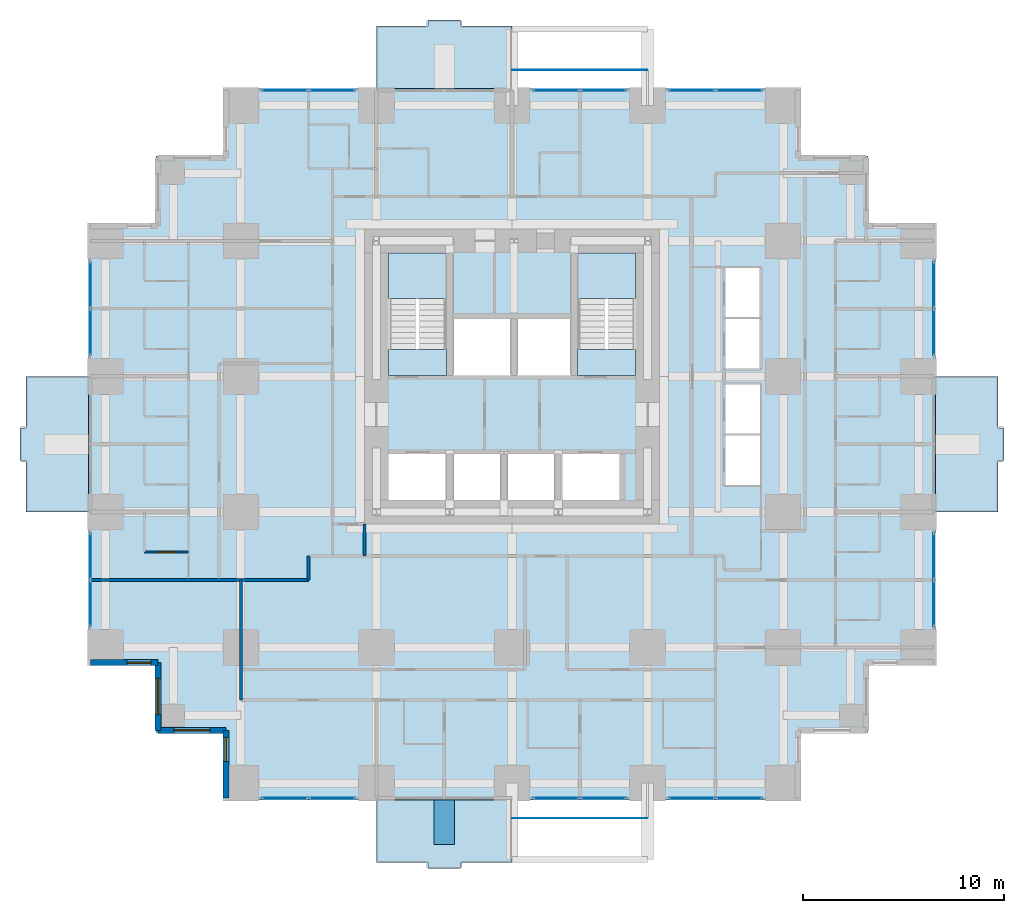
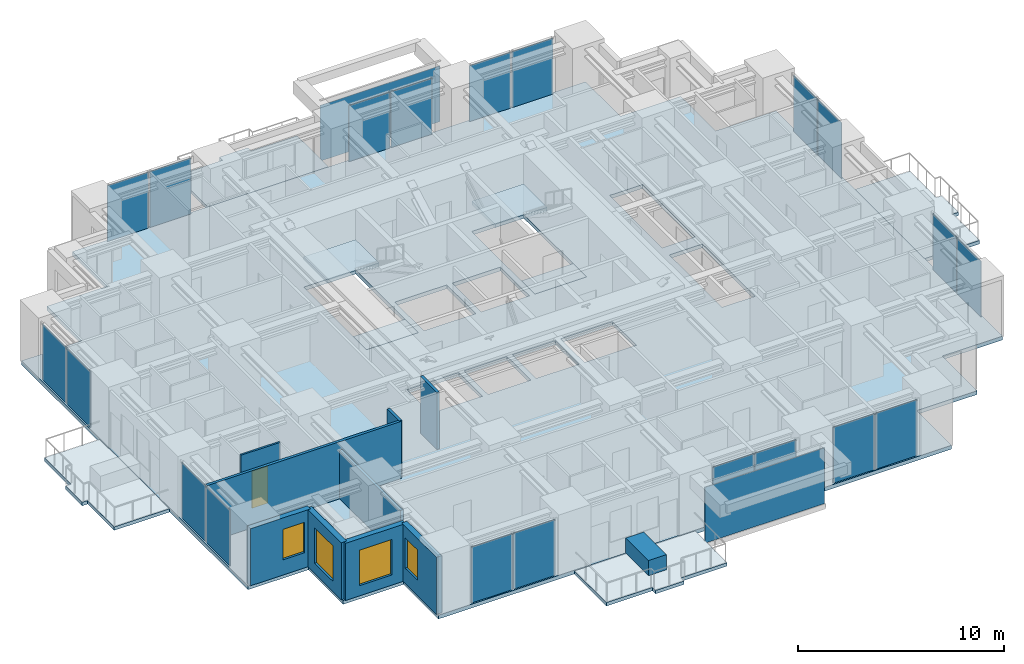
# One storey, part 6 of 13: 22 plates, 10 walls, 9 slabs, 4 windows, 1 door, 5 openings, 12 elements without a shape of their own.
"""IFC4 building model written with IfcOpenShell, lengths in metres."""

from ifc_helpers import new_model, si_unit, direction, frame, frame_2d, origin, origin_2d, place, context, subcontext, project, spatial, polyline, rectangle, outline, extrude, material, layer, layer_set, type_object, element, fill, aggregate, save


model = new_model("IFC4")

# Units and contexts
model_context = context("Model", 3, precision=1e-05, world=origin(), true_north=direction((0.0, 1.0)))
body_context = subcontext(model_context, "Body", "Model", "MODEL_VIEW")
ifc_project = project(units=[si_unit("LENGTHUNIT", "METRE"), si_unit("AREAUNIT", "SQUARE_METRE"), si_unit("VOLUMEUNIT", "CUBIC_METRE"), si_unit("PLANEANGLEUNIT", "RADIAN"), si_unit("MASSUNIT", "GRAM", prefix="KILO")], contexts=[model_context])

# Site, building, storey
site_placement = place(None, origin())
site = spatial("IfcSite", under=ifc_project, at=site_placement, CompositionType="ELEMENT")
building_placement = place(site_placement, origin())
building = spatial("IfcBuilding", under=site, at=building_placement, Name="Nyansa Garden Tower", CompositionType="ELEMENT")
storey_placement = place(building_placement, frame((0.0, 0.0, 94.5)))
storey = spatial("IfcBuildingStorey", under=building, at=storey_placement, Name="L25", CompositionType="ELEMENT", Elevation=94.5)

# Slabs
ifc_material_1 = material(Name="Concrete C40/50", Category="concrete")
ifc_layer_1 = layer(ifc_material_1, 0.199951171875)
ifc_layer_set_1 = layer_set([ifc_layer_1], Name="Balcony slab BS200")
slab_type_1 = type_object("IfcSlabType", Name="Balcony slab BS200", PredefinedType="FLOOR", material=ifc_layer_set_1)
slab_1_placement = place(storey_placement, frame((0.0, 0.0, -0.239990234375)))
element("IfcSlab", 1, at=slab_1_placement, inside=storey, type_object=slab_type_1, Name="Balcony L25 S", PredefinedType="FLOOR", context=body_context, shape_type="SweptSolid", body=[
    extrude(outline(polyline([(13.5, -0.85009765625), (20.25, -0.85009765625), (20.25, -3.949951171875), (17.675048828125, -3.949951171875), (17.675048828125, -4.25), (16.074951171875, -4.25), (16.074951171875, -3.949951171875), (13.5, -3.949951171875), (13.5, -0.85009765625)])), origin(), (0.0, 0.0, 1.0), 0.199951171875),
])
slab_2_placement = place(storey_placement, frame((0.0, 0.0, -0.239990234375)))
element("IfcSlab", 2, at=slab_2_placement, inside=storey, type_object=slab_type_1, Name="Balcony L25 E", PredefinedType="FLOOR", context=body_context, shape_type="SweptSolid", body=[
    extrude(outline(polyline([(41.35009765625, 13.5), (41.35009765625, 20.25), (44.449951171875, 20.25), (44.449951171875, 17.675048828125), (44.75, 17.675048828125), (44.75, 16.074951171875), (44.449951171875, 16.074951171875), (44.449951171875, 13.5), (41.35009765625, 13.5)])), origin(), (0.0, 0.0, 1.0), 0.199951171875),
])
slab_3_placement = place(storey_placement, frame((0.0, 0.0, -0.239990234375)))
element("IfcSlab", 3, at=slab_3_placement, inside=storey, type_object=slab_type_1, Name="Balcony L25 N", PredefinedType="FLOOR", context=body_context, shape_type="SweptSolid", body=[
    extrude(outline(polyline([(13.5, 34.60009765625), (20.25, 34.60009765625), (20.25, 37.699951171875), (17.675048828125, 37.699951171875), (17.675048828125, 38.0), (16.074951171875, 38.0), (16.074951171875, 37.699951171875), (13.5, 37.699951171875), (13.5, 34.60009765625)])), origin(), (0.0, 0.0, 1.0), 0.199951171875),
])
slab_4_placement = place(storey_placement, frame((0.0, 0.0, -0.239990234375)))
element("IfcSlab", 4, at=slab_4_placement, inside=storey, type_object=slab_type_1, Name="Balcony L25 W", PredefinedType="FLOOR", context=body_context, shape_type="SweptSolid", body=[
    extrude(outline(polyline([(-0.85009765625, 13.5), (-0.85009765625, 20.25), (-3.949951171875, 20.25), (-3.949951171875, 17.675048828125), (-4.25, 17.675048828125), (-4.25, 16.074951171875), (-3.949951171875, 16.074951171875), (-3.949951171875, 13.5), (-0.85009765625, 13.5)])), origin(), (0.0, 0.0, 1.0), 0.199951171875),
])

# Curtain wall, plates
ifc_material_2 = material(Name="Black anodised aluminium, dark tinted double glazing", Category="aluminium")
curtain_wall_type = type_object("IfcCurtainWallType", Name="Inner skin curtain wall ISW-B", PredefinedType="USERDEFINED", material=ifc_material_2)
curtain_wall_1_placement = place(storey_placement, origin())
curtain_wall_1 = element("IfcCurtainWall", 5, at=curtain_wall_1_placement, inside=storey, type_object=curtain_wall_type, Name="Inner skin curtain wall L25 E", ObjectType="UNITISED CURTAIN WALL", PredefinedType="USERDEFINED")
ifc_material_3 = material(Name="Dark tinted laminated double glazing", Category="glass")
ifc_layer_2 = layer(ifc_material_3, 0.035888671875)
ifc_layer_set_2 = layer_set([ifc_layer_2], Name="Dark tinted vision panel VP-B")
plate_type_1 = type_object("IfcPlateType", Name="Dark tinted vision panel VP-B", PredefinedType="CURTAIN_PANEL", material=ifc_layer_set_2)
plate_1_placement = place(storey_placement, frame((41.25, 8.94384765625, 0.0), z_axis=(0.0, 0.0, 1.0), x_axis=(0.0, 1.0, 0.0)))
plate_1 = element("IfcPlate", 6, at=plate_1_placement, type_object=plate_type_1, Name="ISW-B panel 1", PredefinedType="CURTAIN_PANEL", context=body_context, shape_type="SweptSolid", body=[
    extrude(rectangle(XDim=2.297607421875, YDim=0.035888671875, at=origin_2d()), origin(), (0.0, 0.0, 1.0), 3.31005859375),
])
plate_2_placement = place(storey_placement, frame((41.25, 11.30615234375, 0.0), z_axis=(0.0, 0.0, 1.0), x_axis=(0.0, 1.0, 0.0)))
plate_2 = element("IfcPlate", 7, at=plate_2_placement, type_object=plate_type_1, Name="ISW-B panel 2", PredefinedType="CURTAIN_PANEL", context=body_context, shape_type="SweptSolid", body=[
    extrude(rectangle(XDim=2.297607421875, YDim=0.035888671875, at=origin_2d()), origin(), (0.0, 0.0, 1.0), 3.31005859375),
])
aggregate(curtain_wall_1, [plate_1, plate_2])

curtain_wall_2_placement = place(storey_placement, origin())
curtain_wall_2 = element("IfcCurtainWall", 8, at=curtain_wall_2_placement, inside=storey, type_object=curtain_wall_type, Name="Inner skin curtain wall L25 E", ObjectType="UNITISED CURTAIN WALL", PredefinedType="USERDEFINED")
plate_3_placement = place(storey_placement, frame((41.25, 22.44384765625, 0.0), z_axis=(0.0, 0.0, 1.0), x_axis=(0.0, 1.0, 0.0)))
plate_3 = element("IfcPlate", 9, at=plate_3_placement, type_object=plate_type_1, Name="ISW-B panel 1", PredefinedType="CURTAIN_PANEL", context=body_context, shape_type="SweptSolid", body=[
    extrude(rectangle(XDim=2.297607421875, YDim=0.035888671875, at=origin_2d()), origin(), (0.0, 0.0, 1.0), 3.31005859375),
])
plate_4_placement = place(storey_placement, frame((41.25, 24.80615234375, 0.0), z_axis=(0.0, 0.0, 1.0), x_axis=(0.0, 1.0, 0.0)))
plate_4 = element("IfcPlate", 10, at=plate_4_placement, type_object=plate_type_1, Name="ISW-B panel 2", PredefinedType="CURTAIN_PANEL", context=body_context, shape_type="SweptSolid", body=[
    extrude(rectangle(XDim=2.297607421875, YDim=0.035888671875, at=origin_2d()), origin(), (0.0, 0.0, 1.0), 3.31005859375),
])
aggregate(curtain_wall_2, [plate_3, plate_4])

curtain_wall_3_placement = place(storey_placement, origin())
curtain_wall_3 = element("IfcCurtainWall", 11, at=curtain_wall_3_placement, inside=storey, type_object=curtain_wall_type, Name="Inner skin curtain wall L25 N", ObjectType="UNITISED CURTAIN WALL", PredefinedType="USERDEFINED")
plate_5_placement = place(storey_placement, frame((11.30615234375, 34.5, 0.0), z_axis=(0.0, 0.0, 1.0), x_axis=(-1.0, 0.0, 0.0)))
plate_5 = element("IfcPlate", 12, at=plate_5_placement, type_object=plate_type_1, Name="ISW-B panel 1", PredefinedType="CURTAIN_PANEL", context=body_context, shape_type="SweptSolid", body=[
    extrude(rectangle(XDim=2.297607421875, YDim=0.035888671875, at=origin_2d()), origin(), (0.0, 0.0, 1.0), 3.31005859375),
])
plate_6_placement = place(storey_placement, frame((8.94384765625, 34.5, 0.0), z_axis=(0.0, 0.0, 1.0), x_axis=(-1.0, 0.0, 0.0)))
plate_6 = element("IfcPlate", 13, at=plate_6_placement, type_object=plate_type_1, Name="ISW-B panel 2", PredefinedType="CURTAIN_PANEL", context=body_context, shape_type="SweptSolid", body=[
    extrude(rectangle(XDim=2.297607421875, YDim=0.035888671875, at=origin_2d()), origin(), (0.0, 0.0, 1.0), 3.31005859375),
])
aggregate(curtain_wall_3, [plate_5, plate_6])

curtain_wall_4_placement = place(storey_placement, origin())
curtain_wall_4 = element("IfcCurtainWall", 14, at=curtain_wall_4_placement, inside=storey, type_object=curtain_wall_type, Name="Inner skin curtain wall L25 N", ObjectType="UNITISED CURTAIN WALL", PredefinedType="USERDEFINED")
plate_7_placement = place(storey_placement, frame((31.55615234375, 34.5, 0.0), z_axis=(0.0, 0.0, 1.0), x_axis=(-1.0, 0.0, 0.0)))
plate_7 = element("IfcPlate", 15, at=plate_7_placement, type_object=plate_type_1, Name="ISW-B panel 1", PredefinedType="CURTAIN_PANEL", context=body_context, shape_type="SweptSolid", body=[
    extrude(rectangle(XDim=2.297607421875, YDim=0.035888671875, at=origin_2d()), origin(), (0.0, 0.0, 1.0), 3.31005859375),
])
plate_8_placement = place(storey_placement, frame((29.19384765625, 34.5, 0.0), z_axis=(0.0, 0.0, 1.0), x_axis=(-1.0, 0.0, 0.0)))
plate_8 = element("IfcPlate", 16, at=plate_8_placement, type_object=plate_type_1, Name="ISW-B panel 2", PredefinedType="CURTAIN_PANEL", context=body_context, shape_type="SweptSolid", body=[
    extrude(rectangle(XDim=2.297607421875, YDim=0.035888671875, at=origin_2d()), origin(), (0.0, 0.0, 1.0), 3.31005859375),
])
aggregate(curtain_wall_4, [plate_7, plate_8])

curtain_wall_5_placement = place(storey_placement, origin())
curtain_wall_5 = element("IfcCurtainWall", 17, at=curtain_wall_5_placement, inside=storey, type_object=curtain_wall_type, Name="Inner skin curtain wall L25 N", ObjectType="UNITISED CURTAIN WALL", PredefinedType="USERDEFINED")
plate_9_placement = place(storey_placement, frame((24.80615234375, 34.5, 0.0), z_axis=(0.0, 0.0, 1.0), x_axis=(-1.0, 0.0, 0.0)))
plate_9 = element("IfcPlate", 18, at=plate_9_placement, type_object=plate_type_1, Name="ISW-B panel 1", PredefinedType="CURTAIN_PANEL", context=body_context, shape_type="SweptSolid", body=[
    extrude(rectangle(XDim=2.297607421875, YDim=0.035888671875, at=origin_2d()), origin(), (0.0, 0.0, 1.0), 3.31005859375),
])
plate_10_placement = place(storey_placement, frame((22.44384765625, 34.5, 0.0), z_axis=(0.0, 0.0, 1.0), x_axis=(-1.0, 0.0, 0.0)))
plate_10 = element("IfcPlate", 19, at=plate_10_placement, type_object=plate_type_1, Name="ISW-B panel 2", PredefinedType="CURTAIN_PANEL", context=body_context, shape_type="SweptSolid", body=[
    extrude(rectangle(XDim=2.297607421875, YDim=0.035888671875, at=origin_2d()), origin(), (0.0, 0.0, 1.0), 3.31005859375),
])
aggregate(curtain_wall_5, [plate_9, plate_10])

curtain_wall_6_placement = place(storey_placement, origin())
curtain_wall_6 = element("IfcCurtainWall", 20, at=curtain_wall_6_placement, inside=storey, type_object=curtain_wall_type, Name="Inner skin curtain wall L25 W", ObjectType="UNITISED CURTAIN WALL", PredefinedType="USERDEFINED")
plate_11_placement = place(storey_placement, frame((-0.75, 11.30615234375, 0.0), z_axis=(0.0, 0.0, 1.0), x_axis=(0.0, -1.0, 0.0)))
plate_11 = element("IfcPlate", 21, at=plate_11_placement, type_object=plate_type_1, Name="ISW-B panel 1", PredefinedType="CURTAIN_PANEL", context=body_context, shape_type="SweptSolid", body=[
    extrude(rectangle(XDim=2.297607421875, YDim=0.035888671875, at=origin_2d()), origin(), (0.0, 0.0, 1.0), 3.31005859375),
])
plate_12_placement = place(storey_placement, frame((-0.75, 8.94384765625, 0.0), z_axis=(0.0, 0.0, 1.0), x_axis=(0.0, -1.0, 0.0)))
plate_12 = element("IfcPlate", 22, at=plate_12_placement, type_object=plate_type_1, Name="ISW-B panel 2", PredefinedType="CURTAIN_PANEL", context=body_context, shape_type="SweptSolid", body=[
    extrude(rectangle(XDim=2.297607421875, YDim=0.035888671875, at=origin_2d()), origin(), (0.0, 0.0, 1.0), 3.31005859375),
])
aggregate(curtain_wall_6, [plate_11, plate_12])

curtain_wall_7_placement = place(storey_placement, origin())
curtain_wall_7 = element("IfcCurtainWall", 23, at=curtain_wall_7_placement, inside=storey, type_object=curtain_wall_type, Name="Inner skin curtain wall L25 W", ObjectType="UNITISED CURTAIN WALL", PredefinedType="USERDEFINED")
plate_13_placement = place(storey_placement, frame((-0.75, 24.80615234375, 0.0), z_axis=(0.0, 0.0, 1.0), x_axis=(0.0, -1.0, 0.0)))
plate_13 = element("IfcPlate", 24, at=plate_13_placement, type_object=plate_type_1, Name="ISW-B panel 1", PredefinedType="CURTAIN_PANEL", context=body_context, shape_type="SweptSolid", body=[
    extrude(rectangle(XDim=2.297607421875, YDim=0.035888671875, at=origin_2d()), origin(), (0.0, 0.0, 1.0), 3.31005859375),
])
plate_14_placement = place(storey_placement, frame((-0.75, 22.44384765625, 0.0), z_axis=(0.0, 0.0, 1.0), x_axis=(0.0, -1.0, 0.0)))
plate_14 = element("IfcPlate", 25, at=plate_14_placement, type_object=plate_type_1, Name="ISW-B panel 2", PredefinedType="CURTAIN_PANEL", context=body_context, shape_type="SweptSolid", body=[
    extrude(rectangle(XDim=2.297607421875, YDim=0.035888671875, at=origin_2d()), origin(), (0.0, 0.0, 1.0), 3.31005859375),
])
aggregate(curtain_wall_7, [plate_13, plate_14])

curtain_wall_8_placement = place(storey_placement, origin())
curtain_wall_8 = element("IfcCurtainWall", 26, at=curtain_wall_8_placement, inside=storey, type_object=curtain_wall_type, Name="Inner skin curtain wall L25 S", ObjectType="UNITISED CURTAIN WALL", PredefinedType="USERDEFINED")
plate_15_placement = place(storey_placement, frame((8.94384765625, -0.75, 0.0), z_axis=(0.0, 0.0, 1.0), x_axis=(1.0, 0.0, 0.0)))
plate_15 = element("IfcPlate", 27, at=plate_15_placement, type_object=plate_type_1, Name="ISW-B panel 1", PredefinedType="CURTAIN_PANEL", context=body_context, shape_type="SweptSolid", body=[
    extrude(rectangle(XDim=2.297607421875, YDim=0.035888671875, at=origin_2d()), origin(), (0.0, 0.0, 1.0), 3.31005859375),
])
plate_16_placement = place(storey_placement, frame((11.30615234375, -0.75, 0.0), z_axis=(0.0, 0.0, 1.0), x_axis=(1.0, 0.0, 0.0)))
plate_16 = element("IfcPlate", 28, at=plate_16_placement, type_object=plate_type_1, Name="ISW-B panel 2", PredefinedType="CURTAIN_PANEL", context=body_context, shape_type="SweptSolid", body=[
    extrude(rectangle(XDim=2.297607421875, YDim=0.035888671875, at=origin_2d()), origin(), (0.0, 0.0, 1.0), 3.31005859375),
])
aggregate(curtain_wall_8, [plate_15, plate_16])

curtain_wall_9_placement = place(storey_placement, origin())
curtain_wall_9 = element("IfcCurtainWall", 29, at=curtain_wall_9_placement, inside=storey, type_object=curtain_wall_type, Name="Inner skin curtain wall L25 S", ObjectType="UNITISED CURTAIN WALL", PredefinedType="USERDEFINED")
plate_17_placement = place(storey_placement, frame((22.44384765625, -0.75, 0.0), z_axis=(0.0, 0.0, 1.0), x_axis=(1.0, 0.0, 0.0)))
plate_17 = element("IfcPlate", 30, at=plate_17_placement, type_object=plate_type_1, Name="ISW-B panel 1", PredefinedType="CURTAIN_PANEL", context=body_context, shape_type="SweptSolid", body=[
    extrude(rectangle(XDim=2.297607421875, YDim=0.035888671875, at=origin_2d()), origin(), (0.0, 0.0, 1.0), 3.31005859375),
])
plate_18_placement = place(storey_placement, frame((24.80615234375, -0.75, 0.0), z_axis=(0.0, 0.0, 1.0), x_axis=(1.0, 0.0, 0.0)))
plate_18 = element("IfcPlate", 31, at=plate_18_placement, type_object=plate_type_1, Name="ISW-B panel 2", PredefinedType="CURTAIN_PANEL", context=body_context, shape_type="SweptSolid", body=[
    extrude(rectangle(XDim=2.297607421875, YDim=0.035888671875, at=origin_2d()), origin(), (0.0, 0.0, 1.0), 3.31005859375),
])
aggregate(curtain_wall_9, [plate_17, plate_18])

curtain_wall_10_placement = place(storey_placement, origin())
curtain_wall_10 = element("IfcCurtainWall", 32, at=curtain_wall_10_placement, inside=storey, type_object=curtain_wall_type, Name="Inner skin curtain wall L25 S", ObjectType="UNITISED CURTAIN WALL", PredefinedType="USERDEFINED")
plate_19_placement = place(storey_placement, frame((29.19384765625, -0.75, 0.0), z_axis=(0.0, 0.0, 1.0), x_axis=(1.0, 0.0, 0.0)))
plate_19 = element("IfcPlate", 33, at=plate_19_placement, type_object=plate_type_1, Name="ISW-B panel 1", PredefinedType="CURTAIN_PANEL", context=body_context, shape_type="SweptSolid", body=[
    extrude(rectangle(XDim=2.297607421875, YDim=0.035888671875, at=origin_2d()), origin(), (0.0, 0.0, 1.0), 3.31005859375),
])
plate_20_placement = place(storey_placement, frame((31.55615234375, -0.75, 0.0), z_axis=(0.0, 0.0, 1.0), x_axis=(1.0, 0.0, 0.0)))
plate_20 = element("IfcPlate", 34, at=plate_20_placement, type_object=plate_type_1, Name="ISW-B panel 2", PredefinedType="CURTAIN_PANEL", context=body_context, shape_type="SweptSolid", body=[
    extrude(rectangle(XDim=2.297607421875, YDim=0.035888671875, at=origin_2d()), origin(), (0.0, 0.0, 1.0), 3.31005859375),
])
aggregate(curtain_wall_10, [plate_19, plate_20])

# Slab
ifc_material_4 = material(Name="Concrete C40/50", Category="concrete")
ifc_layer_3 = layer(ifc_material_4, 0.22509765625)
ifc_layer_set_3 = layer_set([ifc_layer_3], Name="Floor slab FS225")
slab_type_2 = type_object("IfcSlabType", Name="Floor slab FS225", PredefinedType="FLOOR", material=ifc_layer_set_3)
slab_5_placement = place(storey_placement, frame((0.0, 0.0, -0.22509765625)))
element("IfcSlab", 35, at=slab_5_placement, inside=storey, type_object=slab_type_2, Name="Floor slab L25", PredefinedType="FLOOR", context=body_context, shape_type="SweptSolid", body=[
    extrude(outline(polyline([(41.35009765625, 5.89990234375), (37.97509765625, 5.89990234375), (37.97509765625, 2.52490234375), (34.60009765625, 2.52490234375), (34.60009765625, -0.85009765625), (5.89990234375, -0.85009765625), (5.89990234375, 2.52490234375), (2.52490234375, 2.52490234375), (2.52490234375, 5.89990234375), (-0.85009765625, 5.89990234375), (-0.85009765625, 27.85009765625), (2.52490234375, 27.85009765625), (2.52490234375, 31.22509765625), (5.89990234375, 31.22509765625), (5.89990234375, 34.60009765625), (34.60009765625, 34.60009765625), (34.60009765625, 31.22509765625), (37.97509765625, 31.22509765625), (37.97509765625, 27.85009765625), (41.35009765625, 27.85009765625), (41.35009765625, 5.89990234375)]), holes=[polyline([(14.10009765625, 14.10009765625), (17.0, 14.10009765625), (17.0, 16.39990234375), (14.10009765625, 16.39990234375), (14.10009765625, 14.10009765625)]), polyline([(17.300048828125, 14.10009765625), (19.699951171875, 14.10009765625), (19.699951171875, 16.39990234375), (17.300048828125, 16.39990234375), (17.300048828125, 14.10009765625)]), polyline([(20.0, 14.10009765625), (22.39990234375, 14.10009765625), (22.39990234375, 16.39990234375), (20.0, 16.39990234375), (20.0, 14.10009765625)]), polyline([(22.699951171875, 14.10009765625), (25.60009765625, 14.10009765625), (25.60009765625, 16.39990234375), (22.699951171875, 16.39990234375), (22.699951171875, 14.10009765625)]), polyline([(17.300048828125, 20.300048828125), (20.199951171875, 20.300048828125), (20.199951171875, 23.10009765625), (17.300048828125, 23.10009765625), (17.300048828125, 20.300048828125)]), polyline([(20.5, 20.300048828125), (23.199951171875, 20.300048828125), (23.199951171875, 23.10009765625), (20.5, 23.10009765625), (20.5, 20.300048828125)]), polyline([(30.800048828125, 14.800048828125), (32.64990234375, 14.800048828125), (32.64990234375, 19.89990234375), (30.800048828125, 19.89990234375), (30.800048828125, 14.800048828125)]), polyline([(30.800048828125, 20.60009765625), (32.64990234375, 20.60009765625), (32.64990234375, 25.699951171875), (30.800048828125, 25.699951171875), (30.800048828125, 20.60009765625)]), polyline([(14.10009765625, 20.300048828125), (17.0, 20.300048828125), (17.0, 26.39990234375), (14.10009765625, 26.39990234375), (14.10009765625, 20.300048828125)]), polyline([(23.5, 20.300048828125), (26.39990234375, 20.300048828125), (26.39990234375, 26.39990234375), (23.5, 26.39990234375), (23.5, 20.300048828125)])]), origin(), (0.0, 0.0, 1.0), 0.22509765625),
])

# Plates
ifc_material_5 = material(Name="Dark tinted laminated glass", Category="glass")
ifc_layer_4 = layer(ifc_material_5, 0.02392578125)
ifc_layer_set_4 = layer_set([ifc_layer_4], Name="Outer skin glass panel OS1")
plate_type_2 = type_object("IfcPlateType", Name="Outer skin glass panel OS1", PredefinedType="USERDEFINED", material=ifc_layer_set_4)
for number, where, z_axis, x_axis, name in (
    (36, (23.625, 35.5, -0.22509765625), (0.0, 0.0, 1.0), (1.0, 0.0, 0.0), "Outer skin glass panel L25"),
    (37, (23.625, -1.75, -0.22509765625), (0.0, 0.0, 1.0), (1.0, 0.0, 0.0), "Outer skin glass panel L25"),
):
    element("IfcPlate", number, at=place(storey_placement, frame(where, z_axis=z_axis, x_axis=x_axis)), inside=storey, type_object=plate_type_2, Name=name, ObjectType="OUTER SKIN GLASS", PredefinedType="USERDEFINED", context=body_context, shape_type="SweptSolid", body=[
        extrude(rectangle(XDim=6.7099609375, YDim=0.02392578125, at=origin_2d()), origin(), (0.0, 0.0, 1.0), 3.300048828125),
    ])

# Stair, slabs
ifc_material_6 = material(Name="Precast concrete C40/50", Category="concrete")
stair_type_1 = type_object("IfcStairType", Name="Stair S1 180x280", PredefinedType="HALF_TURN_STAIR", material=ifc_material_6)
stair_1_placement = place(storey_placement, origin())
stair_1 = element("IfcStair", 38, at=stair_1_placement, inside=storey, type_object=stair_type_1, Name="Stair S1 L25", PredefinedType="HALF_TURN_STAIR")
ifc_material_7 = material(Name="Concrete C40/50", Category="concrete")
ifc_layer_5 = layer(ifc_material_7, 0.199951171875)
ifc_layer_set_5 = layer_set([ifc_layer_5], Name="Stair landing SL200")
slab_type_3 = type_object("IfcSlabType", Name="Stair landing SL200", PredefinedType="LANDING", material=ifc_layer_set_5)
slab_6_placement = place(storey_placement, frame((0.0, 0.0, -0.199951171875)))
slab_6 = element("IfcSlab", 39, at=slab_6_placement, type_object=slab_type_3, Name="S1 landing 1", PredefinedType="LANDING", context=body_context, shape_type="SweptSolid", body=[
    extrude(outline(polyline([(14.10009765625, 20.300048828125), (17.0, 20.300048828125), (17.0, 21.60009765625), (14.10009765625, 21.60009765625), (14.10009765625, 20.300048828125)])), origin(), (0.0, 0.0, 1.0), 0.199951171875),
])
slab_7_placement = place(storey_placement, frame((0.0, 0.0, 1.60009765625)))
slab_7 = element("IfcSlab", 40, at=slab_7_placement, type_object=slab_type_3, Name="S1 landing 2", PredefinedType="LANDING", context=body_context, shape_type="SweptSolid", body=[
    extrude(outline(polyline([(14.10009765625, 24.1201171875), (17.0, 24.1201171875), (17.0, 26.39990234375), (14.10009765625, 26.39990234375), (14.10009765625, 24.1201171875)])), origin(), (0.0, 0.0, 1.0), 0.199951171875),
])
aggregate(stair_1, [slab_6, slab_7])

ifc_material_8 = material(Name="Precast concrete C40/50", Category="concrete")
stair_type_2 = type_object("IfcStairType", Name="Stair S2 180x280", PredefinedType="HALF_TURN_STAIR", material=ifc_material_8)
stair_2_placement = place(storey_placement, origin())
stair_2 = element("IfcStair", 41, at=stair_2_placement, inside=storey, type_object=stair_type_2, Name="Stair S2 L25", PredefinedType="HALF_TURN_STAIR")
slab_8_placement = place(storey_placement, frame((0.0, 0.0, -0.199951171875)))
slab_8 = element("IfcSlab", 42, at=slab_8_placement, type_object=slab_type_3, Name="S2 landing 1", PredefinedType="LANDING", context=body_context, shape_type="SweptSolid", body=[
    extrude(outline(polyline([(23.5, 20.300048828125), (26.39990234375, 20.300048828125), (26.39990234375, 21.60009765625), (23.5, 21.60009765625), (23.5, 20.300048828125)])), origin(), (0.0, 0.0, 1.0), 0.199951171875),
])
slab_9_placement = place(storey_placement, frame((0.0, 0.0, 1.60009765625)))
slab_9 = element("IfcSlab", 43, at=slab_9_placement, type_object=slab_type_3, Name="S2 landing 2", PredefinedType="LANDING", context=body_context, shape_type="SweptSolid", body=[
    extrude(outline(polyline([(23.5, 24.1201171875), (26.39990234375, 24.1201171875), (26.39990234375, 26.39990234375), (23.5, 26.39990234375), (23.5, 24.1201171875)])), origin(), (0.0, 0.0, 1.0), 0.199951171875),
])
aggregate(stair_2, [slab_8, slab_9])

# Walls
ifc_material_9 = material(Name="Blockwork, plastered both sides", Category="masonry")
ifc_layer_6 = layer(ifc_material_9, 0.14990234375)
ifc_layer_set_6 = layer_set([ifc_layer_6], Name="Partition PW150")
wall_type_1 = type_object("IfcWallType", Name="Partition PW150", PredefinedType="PARTITIONING", material=ifc_layer_set_6)
wall_1_placement = place(storey_placement, frame((-0.73388671875, 10.125, 0.0), z_axis=(0.0, 0.0, 1.0), x_axis=(1.0, 0.0, 0.0)))
element("IfcWall", 44, at=wall_1_placement, inside=storey, type_object=wall_type_1, Name="Partition", PredefinedType="PARTITIONING", context=body_context, shape_type="SweptSolid", body=[
    extrude(rectangle(XDim=10.85888671875, YDim=0.14990234375, at=frame_2d((5.429443359375, 0.0))), origin(), (0.0, 0.0, 1.0), 3.375),
])
wall_2_placement = place(storey_placement, frame((6.75, 4.14990234375, 0.0), z_axis=(0.0, 0.0, 1.0), x_axis=(0.0, 1.0, 0.0)))
element("IfcWall", 45, at=wall_2_placement, inside=storey, type_object=wall_type_1, Name="Partition", PredefinedType="PARTITIONING", context=body_context, shape_type="SweptSolid", body=[
    extrude(rectangle(XDim=5.97509765625, YDim=0.14990234375, at=frame_2d((2.987548828125, 0.0))), origin(), (0.0, 0.0, 1.0), 2.876953125),
])
wall_3_placement = place(storey_placement, frame((10.125, 10.125, 0.0), z_axis=(0.0, 0.0, 1.0), x_axis=(0.0, 1.0, 0.0)))
element("IfcWall", 46, at=wall_3_placement, inside=storey, type_object=wall_type_1, Name="Partition", PredefinedType="PARTITIONING", context=body_context, shape_type="SweptSolid", body=[
    extrude(rectangle(XDim=1.175048828125, YDim=0.14990234375, at=frame_2d((0.58740234375, 0.0))), origin(), (0.0, 0.0, 1.0), 3.375),
])
wall_4_placement = place(storey_placement, frame((12.89990234375, 11.300048828125, 0.0), z_axis=(0.0, 0.0, 1.0), x_axis=(0.0, 1.0, 0.0)))
element("IfcWall", 47, at=wall_4_placement, inside=storey, type_object=wall_type_1, Name="Partition", PredefinedType="PARTITIONING", context=body_context, shape_type="SweptSolid", body=[
    extrude(rectangle(XDim=1.599853515625, YDim=0.14990234375, at=frame_2d((0.7998046875, 0.0))), origin(), (0.0, 0.0, 1.0), 3.375),
])

# Wall, opening, window
ifc_material_10 = material(Name="Turquoise glazed tile on concrete blockwork", Category="masonry")
ifc_layer_7 = layer(ifc_material_10, 0.300048828125)
ifc_layer_set_7 = layer_set([ifc_layer_7], Name="Tiled corner wall TW300")
wall_type_2 = type_object("IfcWallType", Name="Tiled corner wall TW300", PredefinedType="SOLIDWALL", material=ifc_layer_set_7)
wall_5_placement = place(storey_placement, frame((-0.75, 6.0, 0.0), z_axis=(0.0, 0.0, 1.0), x_axis=(1.0, 0.0, 0.0)))
wall_5 = element("IfcWall", 48, at=wall_5_placement, inside=storey, type_object=wall_type_2, Name="Tiled corner wall L25", PredefinedType="SOLIDWALL", context=body_context, shape_type="SweptSolid", body=[
    extrude(rectangle(XDim=3.375, YDim=0.300048828125, at=frame_2d((1.6875, 0.0))), origin(), (0.0, 0.0, 1.0), 3.375),
])
opening_1_placement = place(wall_5_placement, frame((1.83251953125, 0.0, 0.89990234375)))
opening_1 = element("IfcOpeningElement", 49, at=opening_1_placement, cuts=wall_5, Name="Opening W4", PredefinedType="OPENING", context=body_context, shape_type="SweptSolid", body=[
    extrude(rectangle(XDim=1.199951171875, YDim=1.800048828125, at=frame_2d((0.60009765625, 0.89990234375))), frame((0.0, 0.159912109375, 0.0), z_axis=(0.0, -1.0, 0.0), x_axis=(1.0, 0.0, 0.0)), (0.0, 0.0, 1.0), 0.320068359375),
])
ifc_material_11 = material(Name="Black aluminium frame, dark tinted double glazing", Category="aluminium")
window_type_1 = type_object("IfcWindowType", Name="Window W4 1200x1800", PartitioningType="SINGLE_PANEL", PredefinedType="WINDOW", material=ifc_material_11)
window_1_placement = place(opening_1_placement, origin())
window_1 = element("IfcWindow", 50, at=window_1_placement, inside=storey, type_object=window_type_1, Name="Corner window L25", OverallHeight=1.800048828125, OverallWidth=1.199951171875, PartitioningType="SINGLE_PANEL", PredefinedType="WINDOW", context=body_context, shape_type="SweptSolid", body=[
    extrude(rectangle(XDim=1.199951171875, YDim=1.800048828125, at=frame_2d((0.60009765625, 0.89990234375))), frame((0.0, 0.030029296875, 0.0), z_axis=(0.0, -1.0, 0.0), x_axis=(1.0, 0.0, 0.0)), (0.0, 0.0, 1.0), 0.06005859375),
])
fill(opening_1, window_1)

wall_6_placement = place(storey_placement, frame((2.625, 6.0, 0.0), z_axis=(0.0, 0.0, 1.0), x_axis=(0.0, -1.0, 0.0)))
wall_6 = element("IfcWall", 51, at=wall_6_placement, inside=storey, type_object=wall_type_2, Name="Tiled corner wall L25", PredefinedType="SOLIDWALL", context=body_context, shape_type="SweptSolid", body=[
    extrude(rectangle(XDim=3.375, YDim=0.300048828125, at=frame_2d((1.6875, 0.0))), origin(), (0.0, 0.0, 1.0), 3.375),
])
opening_2_placement = place(wall_6_placement, frame((0.78759765625, 0.0, 0.60009765625)))
opening_2 = element("IfcOpeningElement", 52, at=opening_2_placement, cuts=wall_6, Name="Opening W2", PredefinedType="OPENING", context=body_context, shape_type="SweptSolid", body=[
    extrude(rectangle(XDim=1.800048828125, YDim=2.10009765625, at=frame_2d((0.89990234375, 1.050048828125))), frame((0.0, 0.159912109375, 0.0), z_axis=(0.0, -1.0, 0.0), x_axis=(1.0, 0.0, 0.0)), (0.0, 0.0, 1.0), 0.320068359375),
])
ifc_material_12 = material(Name="Black aluminium frame, dark tinted double glazing", Category="aluminium")
window_type_2 = type_object("IfcWindowType", Name="Window W2 1800x2100", PartitioningType="SINGLE_PANEL", PredefinedType="WINDOW", material=ifc_material_12)
window_2_placement = place(opening_2_placement, origin())
window_2 = element("IfcWindow", 53, at=window_2_placement, inside=storey, type_object=window_type_2, Name="Corner window L25", OverallHeight=2.10009765625, OverallWidth=1.800048828125, PartitioningType="SINGLE_PANEL", PredefinedType="WINDOW", context=body_context, shape_type="SweptSolid", body=[
    extrude(rectangle(XDim=1.800048828125, YDim=2.10009765625, at=frame_2d((0.89990234375, 1.050048828125))), frame((0.0, 0.030029296875, 0.0), z_axis=(0.0, -1.0, 0.0), x_axis=(1.0, 0.0, 0.0)), (0.0, 0.0, 1.0), 0.06005859375),
])
fill(opening_2, window_2)

wall_7_placement = place(storey_placement, frame((2.625, 2.625, 0.0), z_axis=(0.0, 0.0, 1.0), x_axis=(1.0, 0.0, 0.0)))
wall_7 = element("IfcWall", 54, at=wall_7_placement, inside=storey, type_object=wall_type_2, Name="Tiled corner wall L25", PredefinedType="SOLIDWALL", context=body_context, shape_type="SweptSolid", body=[
    extrude(rectangle(XDim=3.375, YDim=0.300048828125, at=frame_2d((1.6875, 0.0))), origin(), (0.0, 0.0, 1.0), 3.375),
])
opening_3_placement = place(wall_7_placement, frame((0.78759765625, 0.0, 0.60009765625)))
opening_3 = element("IfcOpeningElement", 55, at=opening_3_placement, cuts=wall_7, Name="Opening W2", PredefinedType="OPENING", context=body_context, shape_type="SweptSolid", body=[
    extrude(rectangle(XDim=1.800048828125, YDim=2.10009765625, at=frame_2d((0.89990234375, 1.050048828125))), frame((0.0, 0.159912109375, 0.0), z_axis=(0.0, -1.0, 0.0), x_axis=(1.0, 0.0, 0.0)), (0.0, 0.0, 1.0), 0.320068359375),
])
window_3_placement = place(opening_3_placement, origin())
window_3 = element("IfcWindow", 56, at=window_3_placement, inside=storey, type_object=window_type_2, Name="Corner window L25", OverallHeight=2.10009765625, OverallWidth=1.800048828125, PartitioningType="SINGLE_PANEL", PredefinedType="WINDOW", context=body_context, shape_type="SweptSolid", body=[
    extrude(rectangle(XDim=1.800048828125, YDim=2.10009765625, at=frame_2d((0.89990234375, 1.050048828125))), frame((0.0, 0.030029296875, 0.0), z_axis=(0.0, -1.0, 0.0), x_axis=(1.0, 0.0, 0.0)), (0.0, 0.0, 1.0), 0.06005859375),
])
fill(opening_3, window_3)

wall_8_placement = place(storey_placement, frame((6.0, 2.625, 0.0), z_axis=(0.0, 0.0, 1.0), x_axis=(0.0, -1.0, 0.0)))
wall_8 = element("IfcWall", 57, at=wall_8_placement, inside=storey, type_object=wall_type_2, Name="Tiled corner wall L25", PredefinedType="SOLIDWALL", context=body_context, shape_type="SweptSolid", body=[
    extrude(rectangle(XDim=3.375, YDim=0.300048828125, at=frame_2d((1.6875, 0.0))), origin(), (0.0, 0.0, 1.0), 3.375),
])
opening_4_placement = place(wall_8_placement, frame((0.342529296875, 0.0, 0.89990234375)))
opening_4 = element("IfcOpeningElement", 58, at=opening_4_placement, cuts=wall_8, Name="Opening W4", PredefinedType="OPENING", context=body_context, shape_type="SweptSolid", body=[
    extrude(rectangle(XDim=1.199951171875, YDim=1.800048828125, at=frame_2d((0.60009765625, 0.89990234375))), frame((0.0, 0.159912109375, 0.0), z_axis=(0.0, -1.0, 0.0), x_axis=(1.0, 0.0, 0.0)), (0.0, 0.0, 1.0), 0.320068359375),
])
window_4_placement = place(opening_4_placement, origin())
window_4 = element("IfcWindow", 59, at=window_4_placement, inside=storey, type_object=window_type_1, Name="Corner window L25", OverallHeight=1.800048828125, OverallWidth=1.199951171875, PartitioningType="SINGLE_PANEL", PredefinedType="WINDOW", context=body_context, shape_type="SweptSolid", body=[
    extrude(rectangle(XDim=1.199951171875, YDim=1.800048828125, at=frame_2d((0.60009765625, 0.89990234375))), frame((0.0, 0.030029296875, 0.0), z_axis=(0.0, -1.0, 0.0), x_axis=(1.0, 0.0, 0.0)), (0.0, 0.0, 1.0), 0.06005859375),
])
fill(opening_4, window_4)

# Wall
ifc_material_13 = material(Name="Concrete C40/50 planter, waterproofed", Category="concrete")
ifc_layer_8 = layer(ifc_material_13, 1.0)
ifc_layer_set_8 = layer_set([ifc_layer_8], Name="Tree planter TP1")
wall_type_3 = type_object("IfcWallType", Name="Tree planter TP1", PredefinedType="USERDEFINED", material=ifc_layer_set_8)
wall_9_placement = place(storey_placement, frame((16.875, -0.85009765625, 0.0), z_axis=(0.0, 0.0, 1.0), x_axis=(0.0, -1.0, 0.0)))
element("IfcWall", 60, at=wall_9_placement, inside=storey, type_object=wall_type_3, Name="Tree planter L25", ObjectType="TREE PLANTER", PredefinedType="USERDEFINED", context=body_context, shape_type="SweptSolid", body=[
    extrude(rectangle(XDim=2.199951171875, YDim=1.0, at=frame_2d((1.10009765625, 0.0))), origin(), (0.0, 0.0, 1.0), 0.89990234375),
])

# Wall, opening, door
ifc_material_14 = material(Name="Moisture resistant board on steel studs, tiled", Category="steel")
ifc_layer_9 = layer(ifc_material_14, 0.10009765625)
ifc_layer_set_9 = layer_set([ifc_layer_9], Name="Wet wall PW100")
wall_type_4 = type_object("IfcWallType", Name="Wet wall PW100", PredefinedType="PARTITIONING", material=ifc_layer_set_9)
wall_10_placement = place(storey_placement, frame((1.949951171875, 11.5, 0.0), z_axis=(0.0, 0.0, 1.0), x_axis=(1.0, 0.0, 0.0)))
wall_10 = element("IfcWall", 61, at=wall_10_placement, inside=storey, type_object=wall_type_4, Name="Wet wall", PredefinedType="PARTITIONING", context=body_context, shape_type="SweptSolid", body=[
    extrude(rectangle(XDim=2.199951171875, YDim=0.10009765625, at=frame_2d((1.10009765625, 0.0))), origin(), (0.0, 0.0, 1.0), 3.375),
])
opening_5_placement = place(wall_10_placement, frame((0.64990234375, 0.0, 0.0)))
opening_5 = element("IfcOpeningElement", 62, at=opening_5_placement, cuts=wall_10, Name="Opening D02", PredefinedType="OPENING", context=body_context, shape_type="SweptSolid", body=[
    extrude(rectangle(XDim=0.89990234375, YDim=2.199951171875, at=frame_2d((0.449951171875, 1.10009765625))), frame((0.0, 0.06005859375, 0.0), z_axis=(0.0, -1.0, 0.0), x_axis=(1.0, 0.0, 0.0)), (0.0, 0.0, 1.0), 0.1201171875),
])
ifc_material_15 = material(Name="Timber flush door", Category="wood")
door_type = type_object("IfcDoorType", Name="En-suite door D02 900x2200", OperationType="SINGLE_SWING_RIGHT", PredefinedType="DOOR", material=ifc_material_15)
door_placement = place(opening_5_placement, origin())
door = element("IfcDoor", 63, at=door_placement, inside=storey, type_object=door_type, Name="Door L25-056", OperationType="SINGLE_SWING_RIGHT", OverallHeight=2.199951171875, OverallWidth=0.89990234375, PredefinedType="DOOR", context=body_context, shape_type="SweptSolid", body=[
    extrude(rectangle(XDim=0.89990234375, YDim=2.199951171875, at=frame_2d((0.449951171875, 1.10009765625))), frame((0.0, 0.02490234375, 0.0), z_axis=(0.0, -1.0, 0.0), x_axis=(1.0, 0.0, 0.0)), (0.0, 0.0, 1.0), 0.050048828125),
])
fill(opening_5, door)

save(model, "model.ifc")
